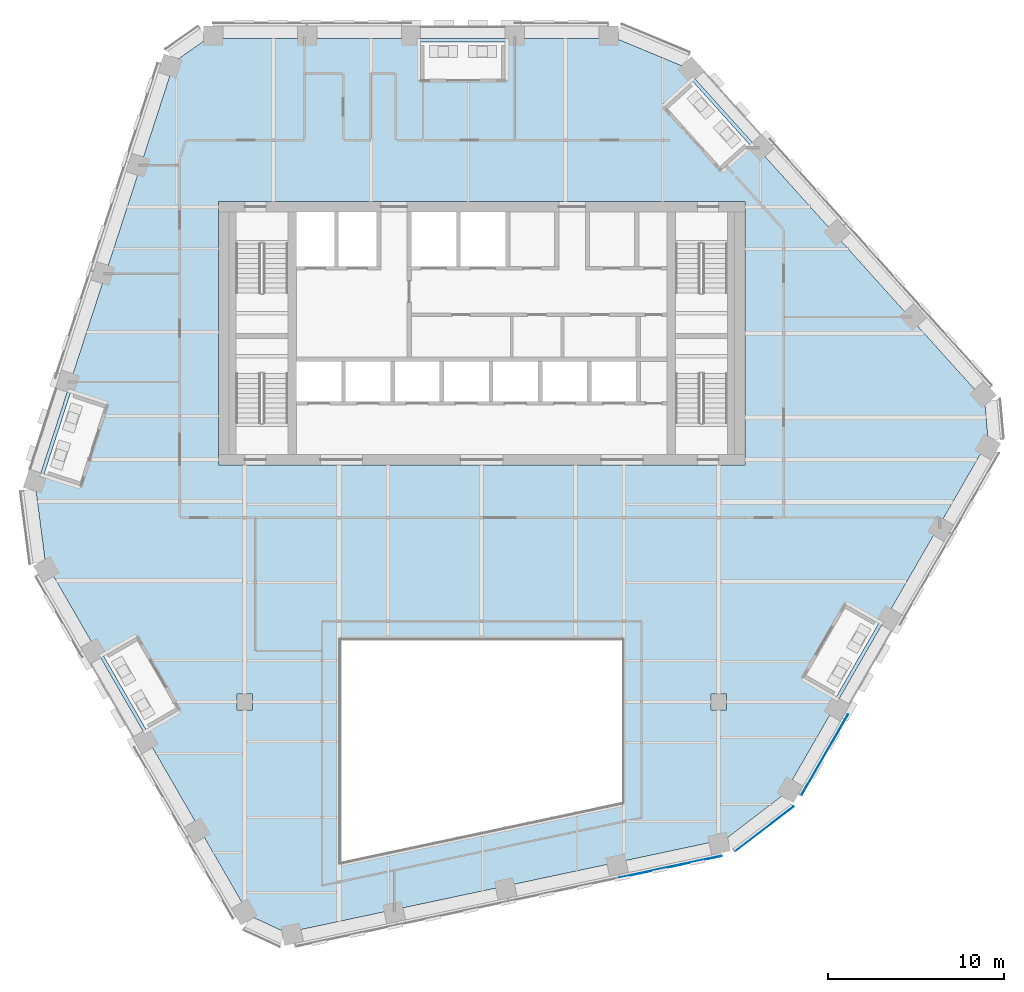
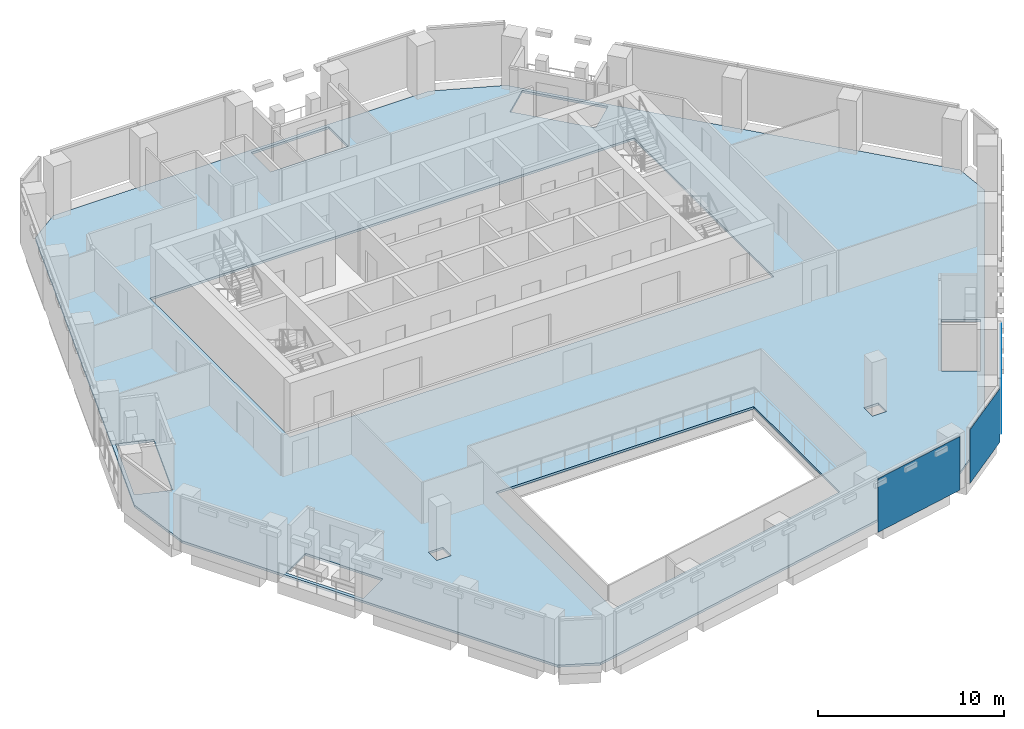
# One storey, part 11 of 24: 3 plates, 1 slab, 3 elements without a shape of their own.
"""IFC4 building model written with IfcOpenShell, lengths in metres."""

from ifc_helpers import new_model, si_unit, direction, frame, origin, origin_2d, place, context, subcontext, project, spatial, polyline, rectangle, outline, extrude, material, layer, layer_set, type_object, element, aggregate, save


model = new_model("IFC4")

# Units and contexts
model_context = context("Model", 3, precision=1e-05, world=origin(), true_north=direction((0.0, 1.0)))
body_context = subcontext(model_context, "Body", "Model", "MODEL_VIEW")
ifc_project = project(units=[si_unit("LENGTHUNIT", "METRE"), si_unit("AREAUNIT", "SQUARE_METRE"), si_unit("VOLUMEUNIT", "CUBIC_METRE"), si_unit("PLANEANGLEUNIT", "RADIAN"), si_unit("MASSUNIT", "GRAM", prefix="KILO")], contexts=[model_context])

# Site, building, storey
site_placement = place(None, origin())
site = spatial("IfcSite", under=ifc_project, at=site_placement, CompositionType="ELEMENT")
building_placement = place(site_placement, origin())
building = spatial("IfcBuilding", under=site, at=building_placement, Name="Isthmus Gate Tower", CompositionType="ELEMENT")
storey_placement = place(building_placement, frame((0.0, 0.0, 234.550048828125)))
storey = spatial("IfcBuildingStorey", under=building, at=storey_placement, Name="L59", CompositionType="ELEMENT", Elevation=234.550048828125)

# Slab
ifc_material_1 = material(Name="Concrete f'c 40 MPa", Category="concrete")
ifc_layer_1 = layer(ifc_material_1, 0.14990234375)
ifc_layer_set_1 = layer_set([ifc_layer_1], Name="COMPOSITE FLOOR SLAB 150")
slab_type = type_object("IfcSlabType", Name="COMPOSITE FLOOR SLAB 150", PredefinedType="FLOOR", material=ifc_layer_set_1)
slab_placement = place(storey_placement, frame((0.0, 0.0, -0.150146484375)))
element("IfcSlab", 1, at=slab_placement, inside=storey, type_object=slab_type, Name="str-slab-L59-1", PredefinedType="FLOOR", context=body_context, shape_type="SweptSolid", body=[
    extrude(outline(polyline([(11.539794921875, 22.68310546875), (28.65380859375, 3.67626953125), (28.859375, 1.3857421875), (17.21875, -18.7763671875), (13.874267578125, -21.335205078125), (-11.143310546875, -26.65283203125), (-13.2294921875, -25.685791015625), (-24.8701171875, -5.523681640625), (-25.4140625, -1.347900390625), (-17.510498046875, 22.976806640625), (-15.629638671875, 24.300048828125), (7.6513671875, 24.300048828125), (11.539794921875, 22.68310546875)]), holes=[polyline([(8.0, -10.0), (-8.0, -10.0), (-8.0, -22.611083984375), (8.0, -19.210205078125), (8.0, -10.0)]), polyline([(-13.050048828125, -13.050048828125), (-13.949951171875, -13.050048828125), (-13.949951171875, -13.949951171875), (-13.050048828125, -13.949951171875), (-13.050048828125, -13.050048828125)]), polyline([(13.949951171875, -13.050048828125), (13.050048828125, -13.050048828125), (13.050048828125, -13.949951171875), (13.949951171875, -13.949951171875), (13.949951171875, -13.050048828125)]), polyline([(-17.3125, -14.013916015625), (-19.7177734375, -9.847900390625), (-21.53662109375, -10.897705078125), (-19.131103515625, -15.063720703125), (-17.3125, -14.013916015625)]), polyline([(20.79248046875, -7.986083984375), (18.38720703125, -12.152099609375), (20.2060546875, -13.2021484375), (22.611328125, -9.0361328125), (20.79248046875, -7.986083984375)]), polyline([(-22.935546875, -1.16259765625), (-21.439208984375, 3.4423828125), (-23.4365234375, 4.09130859375), (-24.9326171875, -0.513671875), (-22.935546875, -1.16259765625)]), polyline([(-15.0, 15.0), (-15.0, 0.0), (15.0, 0.0), (15.0, 15.0), (-15.0, 15.0)]), polyline([(12.021484375, 21.84912109375), (10.4609375, 20.444091796875), (13.70068359375, 16.845703125), (15.261474609375, 18.2509765625), (12.021484375, 21.84912109375)]), polyline([(-3.47998046875, 24.10009765625), (-3.47998046875, 22.0), (1.33056640625, 22.0), (1.33056640625, 24.10009765625), (-3.47998046875, 24.10009765625)])]), origin(), (0.0, 0.0, 1.0), 0.150146484375),
])

# Curtain wall, plate
ifc_material_2 = material(Name="Aluminium, pale champagne anodised", Category="aluminium")
ifc_layer_2 = layer(ifc_material_2, 0.199951171875)
ifc_layer_set_2 = layer_set([ifc_layer_2], Name="CW-1 UNITISED CURTAIN WALL 200 DEEP")
curtain_wall_type = type_object("IfcCurtainWallType", Name="CW-1 UNITISED CURTAIN WALL 200 DEEP", PredefinedType="NOTDEFINED", material=ifc_layer_set_2)
curtain_wall_1_placement = place(storey_placement, origin())
curtain_wall_1 = element("IfcCurtainWall", 2, at=curtain_wall_1_placement, inside=storey, type_object=curtain_wall_type, Name="CW-1 S L59", PredefinedType="NOTDEFINED")
ifc_material_3 = material(Name="Laminated low-iron glass, pale blue tint", Category="glass")
ifc_layer_3 = layer(ifc_material_3, 0.031982421875)
ifc_layer_set_3 = layer_set([ifc_layer_3], Name="CW-1 CLEAR GLASS LITE 32")
plate_type = type_object("IfcPlateType", Name="CW-1 CLEAR GLASS LITE 32", PredefinedType="CURTAIN_PANEL", material=ifc_layer_set_3)
plate_1_placement = place(storey_placement, frame((10.7685546875, -22.899169921875, 0.0), z_axis=(0.0, 0.0, 1.0), x_axis=(0.978147600734, 0.207911690818, 0.0)))
plate_1 = element("IfcPlate", 3, at=plate_1_placement, type_object=plate_type, Name="CW-1 glass lite", PredefinedType="CURTAIN_PANEL", context=body_context, shape_type="SweptSolid", body=[
    extrude(rectangle(XDim=5.94189453125, YDim=0.031982421875, at=origin_2d()), origin(), (0.0, 0.0, 1.0), 3.52001953125),
])
aggregate(curtain_wall_1, [plate_1])

curtain_wall_2_placement = place(storey_placement, origin())
curtain_wall_2 = element("IfcCurtainWall", 4, at=curtain_wall_2_placement, inside=storey, type_object=curtain_wall_type, Name="CW-1 S-SE L59", PredefinedType="NOTDEFINED")
plate_2_placement = place(storey_placement, frame((16.107421875, -20.73974609375, 0.0), z_axis=(0.0, 0.0, 1.0), x_axis=(0.794188594387, 0.607671355706, 0.0)))
plate_2 = element("IfcPlate", 5, at=plate_2_placement, type_object=plate_type, Name="CW-1 glass lite", PredefinedType="CURTAIN_PANEL", context=body_context, shape_type="SweptSolid", body=[
    extrude(rectangle(XDim=4.181396484375, YDim=0.031982421875, at=origin_2d()), origin(), (0.0, 0.0, 1.0), 3.52001953125),
])
aggregate(curtain_wall_2, [plate_2])

curtain_wall_3_placement = place(storey_placement, origin())
curtain_wall_3 = element("IfcCurtainWall", 6, at=curtain_wall_3_placement, inside=storey, type_object=curtain_wall_type, Name="CW-1 SE L59", PredefinedType="NOTDEFINED")
plate_3_placement = place(storey_placement, frame((19.544677734375, -16.515869140625, 0.0), z_axis=(0.0, 0.0, 1.0), x_axis=(0.5, 0.866025403784, 0.0)))
plate_3 = element("IfcPlate", 7, at=plate_3_placement, type_object=plate_type, Name="CW-1 glass lite", PredefinedType="CURTAIN_PANEL", context=body_context, shape_type="SweptSolid", body=[
    extrude(rectangle(XDim=5.300537109375, YDim=0.031982421875, at=origin_2d()), origin(), (0.0, 0.0, 1.0), 3.52001953125),
])
aggregate(curtain_wall_3, [plate_3])

save(model, "model.ifc")
